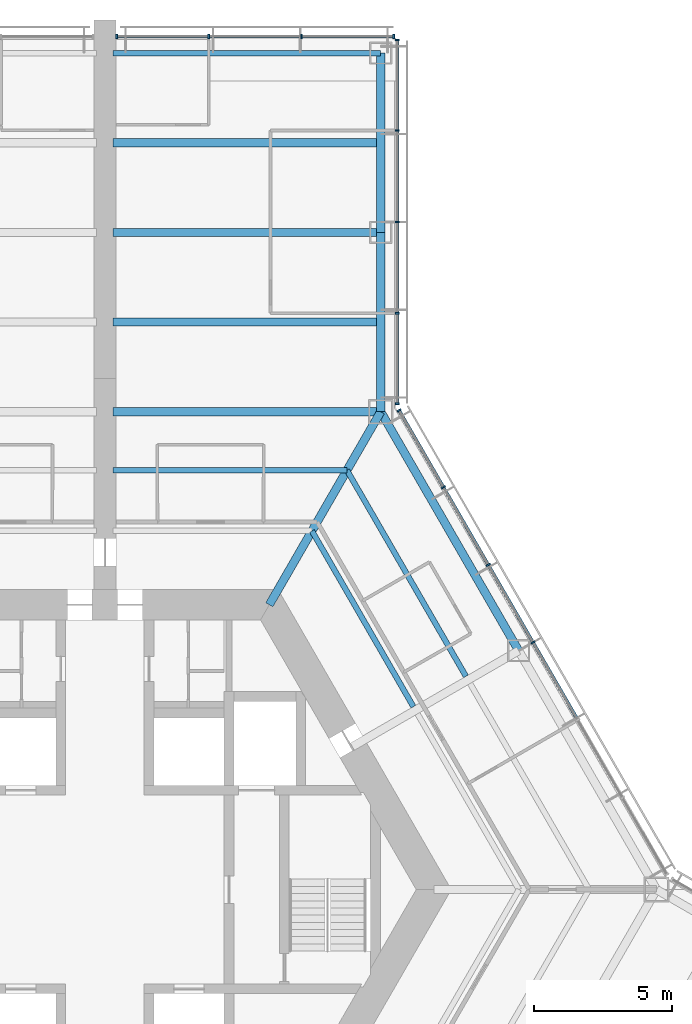
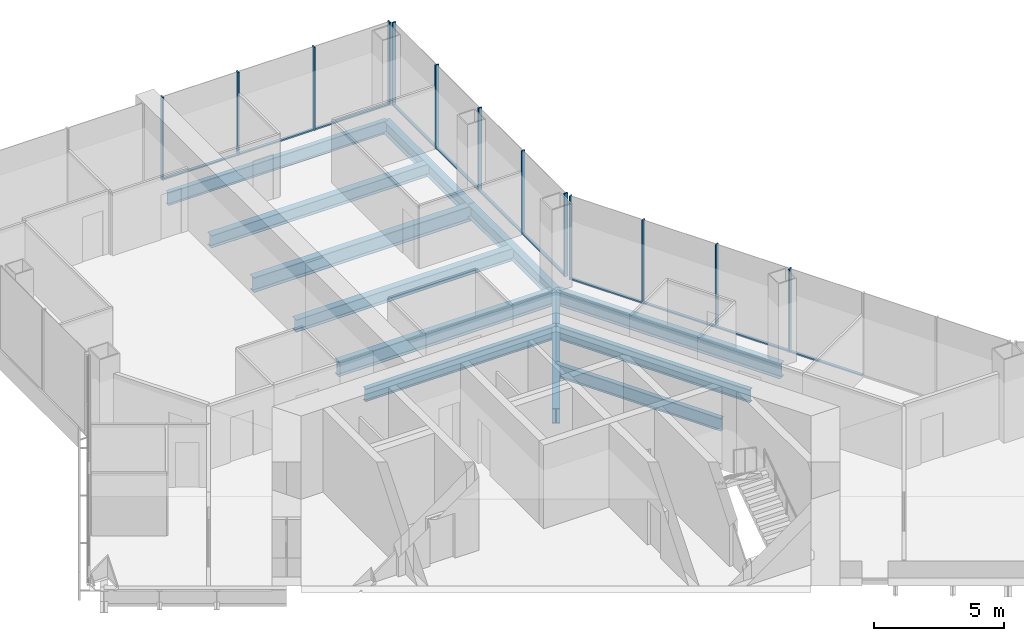
# One storey, part 8 of 19: 24 members, 12 beams, 3 elements without a shape of their own.
"""IFC4 building model written with IfcOpenShell, lengths in metres."""

from ifc_helpers import new_model, si_unit, direction, frame, origin, origin_2d, place, context, subcontext, project, spatial, rectangle, i_section, extrude, material, material_profile, profile_set, type_object, element, aggregate, save


model = new_model("IFC4")

# Units and contexts
model_context = context("Model", 3, precision=1e-05, world=origin(), true_north=direction((0.0, 1.0)))
body_context = subcontext(model_context, "Body", "Model", "MODEL_VIEW")
ifc_project = project(units=[si_unit("LENGTHUNIT", "METRE"), si_unit("AREAUNIT", "SQUARE_METRE"), si_unit("VOLUMEUNIT", "CUBIC_METRE"), si_unit("PLANEANGLEUNIT", "RADIAN"), si_unit("MASSUNIT", "GRAM", prefix="KILO")], contexts=[model_context])

# Site, building, storey
site_placement = place(None, origin())
site = spatial("IfcSite", under=ifc_project, at=site_placement, CompositionType="ELEMENT")
building_placement = place(site_placement, origin())
building = spatial("IfcBuilding", under=site, at=building_placement, Name="Kasaneha Research Tower", CompositionType="ELEMENT")
storey_placement = place(building_placement, frame((0.0, 0.0, 88.5)))
storey = spatial("IfcBuildingStorey", under=building, at=storey_placement, Name="L22", CompositionType="ELEMENT", Elevation=88.5)

# Beams
ifc_material_1 = material(Name="Steel SN490B", Category="steel")
ifc_material_profile_1 = material_profile(ifc_material_1, i_section(OverallWidth=0.199951171875, OverallDepth=0.60009765625, WebThickness=0.010986328125, FlangeThickness=0.01708984375, FilletRadius=0.012939453125, at=origin_2d()), Name="H-600x200x11x17")
ifc_profile_set_1 = profile_set([ifc_material_profile_1], Name="Steel SN490B")
beam_type_1 = type_object("IfcBeamType", Name="B1-3 secondary beam H-600x200x11x17", PredefinedType="JOIST", material=ifc_profile_set_1)
beam_1_placement = place(storey_placement, frame((7.505615234375, 13.0, -0.449951171875), z_axis=(0.499994443168, -0.866028611999, 0.0), x_axis=(0.866028611999, 0.499994443168, 0.0)))
element("IfcBeam", 1, at=beam_1_placement, inside=storey, type_object=beam_type_1, Name="Secondary beam RS030R1 L22", PredefinedType="JOIST", context=body_context, shape_type="SweptSolid", body=[
    extrude(i_section(OverallWidth=0.199951171875, OverallDepth=0.60009765625, WebThickness=0.010986328125, FlangeThickness=0.01708984375, FilletRadius=0.012939453125, at=origin_2d()), origin(), (0.0, 0.0, 1.0), 7.35546875),
])
beam_2_placement = place(storey_placement, frame((8.775634765625, 15.199951171875, -0.449951171875), z_axis=(0.500017275495, -0.866015429543, 0.0), x_axis=(0.866015429543, 0.500017275495, 0.0)))
element("IfcBeam", 2, at=beam_2_placement, inside=storey, type_object=beam_type_1, Name="Secondary beam RS030R2 L22", PredefinedType="JOIST", context=body_context, shape_type="SweptSolid", body=[
    extrude(i_section(OverallWidth=0.199951171875, OverallDepth=0.60009765625, WebThickness=0.010986328125, FlangeThickness=0.01708984375, FilletRadius=0.012939453125, at=origin_2d()), origin(), (0.0, 0.0, 1.0), 8.625732421875),
])
beam_3_placement = place(storey_placement, frame((8.775634765625, 15.199951171875, -0.449951171875), z_axis=(-1.0, 0.0, 0.0), x_axis=(0.0, -1.0, 0.0)))
element("IfcBeam", 3, at=beam_3_placement, inside=storey, type_object=beam_type_1, Name="Secondary beam RS090L2 L22", PredefinedType="JOIST", context=body_context, shape_type="SweptSolid", body=[
    extrude(i_section(OverallWidth=0.199951171875, OverallDepth=0.60009765625, WebThickness=0.010986328125, FlangeThickness=0.01708984375, FilletRadius=0.012939453125, at=origin_2d()), origin(), (0.0, 0.0, 1.0), 8.4755859375),
])
ifc_material_2 = material(Name="Steel SN490B", Category="steel")
ifc_material_profile_2 = material_profile(ifc_material_2, i_section(OverallWidth=0.300048828125, OverallDepth=0.58203125, WebThickness=0.011962890625, FlangeThickness=0.01708984375, FilletRadius=0.012939453125, at=origin_2d()), Name="H-582x300x12x17")
ifc_profile_set_2 = profile_set([ifc_material_profile_2], Name="Steel SN490B")
beam_type_2 = type_object("IfcBeamType", Name="B2-3 secondary beam H-582x300x12x17", PredefinedType="JOIST", material=ifc_profile_set_2)
for number, where, z_axis, x_axis, name in (
    (4, (10.0, 20.570556640625, -0.44091796875), (-1.0, 0.0, 0.0), (0.0, -1.0, 0.0), "Secondary beam WBAP1 L22"),
    (5, (10.0, 27.070556640625, -0.44091796875), (-1.0, 0.0, 0.0), (0.0, -1.0, 0.0), "Secondary beam WBAP2 L22"),
):
    element("IfcBeam", number, at=place(storey_placement, frame(where, z_axis=z_axis, x_axis=x_axis)), inside=storey, type_object=beam_type_2, Name=name, PredefinedType="JOIST", context=body_context, shape_type="SweptSolid", body=[
        extrude(i_section(OverallWidth=0.300048828125, OverallDepth=0.58203125, WebThickness=0.011962890625, FlangeThickness=0.01708984375, FilletRadius=0.012939453125, at=origin_2d()), origin(), (0.0, 0.0, 1.0), 9.699951171875),
    ])

# Curtain wall, members
ifc_material_3 = material(Name="Glass and aluminium", Category="aluminium")
curtain_wall_type = type_object("IfcCurtainWallType", Name="Low-rise office curtain wall", PredefinedType="USERDEFINED", material=ifc_material_3)
curtain_wall_1_placement = place(storey_placement, origin())
curtain_wall_1 = element("IfcCurtainWall", 6, at=curtain_wall_1_placement, inside=storey, type_object=curtain_wall_type, Name="CW-O1 L22 run 07a", ObjectType="UNITISED CURTAIN WALL", PredefinedType="USERDEFINED")
ifc_material_4 = material(Name="Aluminium 6063-T6", Category="aluminium")
ifc_material_profile_3 = material_profile(ifc_material_4, rectangle(XDim=0.06005859375, YDim=0.159912109375, at=origin_2d()), Name="CW-O1 mullion 60x160")
ifc_profile_set_3 = profile_set([ifc_material_profile_3], Name="Aluminium 6063-T6")
member_type_1 = type_object("IfcMemberType", Name="CW-O1 mullion", PredefinedType="MULLION", material=ifc_profile_set_3)
member_1_placement = place(storey_placement, frame((15.51953125, 8.960205078125, 0.0), z_axis=(0.0, 0.0, 1.0), x_axis=(-0.49999996188, 0.866025425793, 0.0)))
member_1 = element("IfcMember", 7, at=member_1_placement, type_object=member_type_1, Name="CW-O1 mullion 4", PredefinedType="MULLION", context=body_context, shape_type="SweptSolid", body=[
    extrude(rectangle(XDim=0.06005859375, YDim=0.159912109375, at=origin_2d()), origin(), (0.0, 0.0, 1.0), 3.89990234375),
])
member_2_placement = place(storey_placement, frame((13.896484375, 11.771728515625, 0.0), z_axis=(0.0, 0.0, 1.0), x_axis=(-0.49999996188, 0.866025425793, 0.0)))
member_2 = element("IfcMember", 8, at=member_2_placement, type_object=member_type_1, Name="CW-O1 mullion 5", PredefinedType="MULLION", context=body_context, shape_type="SweptSolid", body=[
    extrude(rectangle(XDim=0.06005859375, YDim=0.159912109375, at=origin_2d()), origin(), (0.0, 0.0, 1.0), 3.89990234375),
])
member_3_placement = place(storey_placement, frame((12.273193359375, 14.583251953125, 0.0), z_axis=(0.0, 0.0, 1.0), x_axis=(-0.49999996188, 0.866025425793, 0.0)))
member_3 = element("IfcMember", 9, at=member_3_placement, type_object=member_type_1, Name="CW-O1 mullion 6", PredefinedType="MULLION", context=body_context, shape_type="SweptSolid", body=[
    extrude(rectangle(XDim=0.06005859375, YDim=0.159912109375, at=origin_2d()), origin(), (0.0, 0.0, 1.0), 3.89990234375),
])
member_4_placement = place(storey_placement, frame((10.6650390625, 17.36865234375, 0.0), z_axis=(0.0, 0.0, 1.0), x_axis=(-0.49999996188, 0.866025425793, 0.0)))
member_4 = element("IfcMember", 10, at=member_4_placement, type_object=member_type_1, Name="CW-O1 mullion 7", PredefinedType="MULLION", context=body_context, shape_type="SweptSolid", body=[
    extrude(rectangle(XDim=0.06005859375, YDim=0.159912109375, at=origin_2d()), origin(), (0.0, 0.0, 1.0), 3.89990234375),
])

curtain_wall_2_placement = place(storey_placement, origin())
curtain_wall_2 = element("IfcCurtainWall", 11, at=curtain_wall_2_placement, inside=storey, type_object=curtain_wall_type, Name="CW-O1 L22 run 08a", ObjectType="UNITISED CURTAIN WALL", PredefinedType="USERDEFINED")
member_5_placement = place(storey_placement, frame((10.60009765625, 17.611328125, 0.0), z_axis=(0.0, 0.0, 1.0), x_axis=(0.0, 1.0, 0.0)))
member_5 = element("IfcMember", 12, at=member_5_placement, type_object=member_type_1, Name="CW-O1 mullion 1", PredefinedType="MULLION", context=body_context, shape_type="SweptSolid", body=[
    extrude(rectangle(XDim=0.06005859375, YDim=0.159912109375, at=origin_2d()), origin(), (0.0, 0.0, 1.0), 3.89990234375),
])
member_6_placement = place(storey_placement, frame((10.60009765625, 20.89111328125, 0.0), z_axis=(0.0, 0.0, 1.0), x_axis=(0.0, 1.0, 0.0)))
member_6 = element("IfcMember", 13, at=member_6_placement, type_object=member_type_1, Name="CW-O1 mullion 2", PredefinedType="MULLION", context=body_context, shape_type="SweptSolid", body=[
    extrude(rectangle(XDim=0.06005859375, YDim=0.159912109375, at=origin_2d()), origin(), (0.0, 0.0, 1.0), 3.89990234375),
])
member_7_placement = place(storey_placement, frame((10.60009765625, 24.200927734375, 0.0), z_axis=(0.0, 0.0, 1.0), x_axis=(0.0, 1.0, 0.0)))
member_7 = element("IfcMember", 14, at=member_7_placement, type_object=member_type_1, Name="CW-O1 mullion 3", PredefinedType="MULLION", context=body_context, shape_type="SweptSolid", body=[
    extrude(rectangle(XDim=0.06005859375, YDim=0.159912109375, at=origin_2d()), origin(), (0.0, 0.0, 1.0), 3.89990234375),
])
member_8_placement = place(storey_placement, frame((10.60009765625, 27.5107421875, 0.0), z_axis=(0.0, 0.0, 1.0), x_axis=(0.0, 1.0, 0.0)))
member_8 = element("IfcMember", 15, at=member_8_placement, type_object=member_type_1, Name="CW-O1 mullion 4", PredefinedType="MULLION", context=body_context, shape_type="SweptSolid", body=[
    extrude(rectangle(XDim=0.06005859375, YDim=0.159912109375, at=origin_2d()), origin(), (0.0, 0.0, 1.0), 3.89990234375),
])
member_9_placement = place(storey_placement, frame((10.60009765625, 30.79052734375, 0.0), z_axis=(0.0, 0.0, 1.0), x_axis=(0.0, 1.0, 0.0)))
member_9 = element("IfcMember", 16, at=member_9_placement, type_object=member_type_1, Name="CW-O1 mullion 5", PredefinedType="MULLION", context=body_context, shape_type="SweptSolid", body=[
    extrude(rectangle(XDim=0.06005859375, YDim=0.159912109375, at=origin_2d()), origin(), (0.0, 0.0, 1.0), 3.89990234375),
])

curtain_wall_3_placement = place(storey_placement, origin())
curtain_wall_3 = element("IfcCurtainWall", 17, at=curtain_wall_3_placement, inside=storey, type_object=curtain_wall_type, Name="CW-O1 L22 run 09a", ObjectType="UNITISED CURTAIN WALL", PredefinedType="USERDEFINED")
member_10_placement = place(storey_placement, frame((10.469970703125, 30.92041015625, 0.0), z_axis=(0.0, 0.0, 1.0), x_axis=(-1.0, 0.0, 0.0)))
member_10 = element("IfcMember", 18, at=member_10_placement, type_object=member_type_1, Name="CW-O1 mullion 1", PredefinedType="MULLION", context=body_context, shape_type="SweptSolid", body=[
    extrude(rectangle(XDim=0.06005859375, YDim=0.159912109375, at=origin_2d()), origin(), (0.0, 0.0, 1.0), 3.89990234375),
])
member_11_placement = place(storey_placement, frame((7.13330078125, 30.92041015625, 0.0), z_axis=(0.0, 0.0, 1.0), x_axis=(-1.0, 0.0, 0.0)))
member_11 = element("IfcMember", 19, at=member_11_placement, type_object=member_type_1, Name="CW-O1 mullion 2", PredefinedType="MULLION", context=body_context, shape_type="SweptSolid", body=[
    extrude(rectangle(XDim=0.06005859375, YDim=0.159912109375, at=origin_2d()), origin(), (0.0, 0.0, 1.0), 3.89990234375),
])
member_12_placement = place(storey_placement, frame((3.7666015625, 30.92041015625, 0.0), z_axis=(0.0, 0.0, 1.0), x_axis=(-1.0, 0.0, 0.0)))
member_12 = element("IfcMember", 20, at=member_12_placement, type_object=member_type_1, Name="CW-O1 mullion 3", PredefinedType="MULLION", context=body_context, shape_type="SweptSolid", body=[
    extrude(rectangle(XDim=0.06005859375, YDim=0.159912109375, at=origin_2d()), origin(), (0.0, 0.0, 1.0), 3.89990234375),
])
member_13_placement = place(storey_placement, frame((0.429931640625, 30.92041015625, 0.0), z_axis=(0.0, 0.0, 1.0), x_axis=(-1.0, 0.0, 0.0)))
member_13 = element("IfcMember", 21, at=member_13_placement, type_object=member_type_1, Name="CW-O1 mullion 4", PredefinedType="MULLION", context=body_context, shape_type="SweptSolid", body=[
    extrude(rectangle(XDim=0.06005859375, YDim=0.159912109375, at=origin_2d()), origin(), (0.0, 0.0, 1.0), 3.89990234375),
])

# Member
ifc_material_5 = material(Name="Aluminium 6063-T6", Category="aluminium")
ifc_material_profile_4 = material_profile(ifc_material_5, rectangle(XDim=0.1201171875, YDim=0.06005859375, at=origin_2d()), Name="CW-O1 transom 120x60")
ifc_profile_set_4 = profile_set([ifc_material_profile_4], Name="Aluminium 6063-T6")
member_type_2 = type_object("IfcMemberType", Name="CW-O1 transom", PredefinedType="USERDEFINED", material=ifc_profile_set_4)
member_14_placement = place(storey_placement, frame((17.1279296875, 6.1748046875, 0.030029296875), z_axis=(-0.500012062035, 0.866018439653, 0.0), x_axis=(-0.866018439653, -0.500012062035, 0.0)))
member_14 = element("IfcMember", 22, at=member_14_placement, type_object=member_type_2, Name="CW-O1 transom 3", ObjectType="TRANSOM", PredefinedType="USERDEFINED", context=body_context, shape_type="SweptSolid", body=[
    extrude(rectangle(XDim=0.1201171875, YDim=0.06005859375, at=origin_2d()), origin(), (0.0, 0.0, 1.0), 3.1865234375),
])

member_15_placement = place(storey_placement, frame((15.504638671875, 8.986328125, 0.030029296875), z_axis=(-0.500012062035, 0.866018439653, 0.0), x_axis=(-0.866018439653, -0.500012062035, 0.0)))
member_15 = element("IfcMember", 23, at=member_15_placement, type_object=member_type_2, Name="CW-O1 transom 4", ObjectType="TRANSOM", PredefinedType="USERDEFINED", context=body_context, shape_type="SweptSolid", body=[
    extrude(rectangle(XDim=0.1201171875, YDim=0.06005859375, at=origin_2d()), origin(), (0.0, 0.0, 1.0), 3.1865234375),
])

member_16_placement = place(storey_placement, frame((13.88134765625, 11.797607421875, 0.030029296875), z_axis=(-0.500012062035, 0.866018439653, 0.0), x_axis=(-0.866018439653, -0.500012062035, 0.0)))
member_16 = element("IfcMember", 24, at=member_16_placement, type_object=member_type_2, Name="CW-O1 transom 5", ObjectType="TRANSOM", PredefinedType="USERDEFINED", context=body_context, shape_type="SweptSolid", body=[
    extrude(rectangle(XDim=0.1201171875, YDim=0.06005859375, at=origin_2d()), origin(), (0.0, 0.0, 1.0), 3.1865234375),
])

member_17_placement = place(storey_placement, frame((12.25830078125, 14.609130859375, 0.030029296875), z_axis=(-0.500023726918, 0.866011704609, 0.0), x_axis=(-0.866011704609, -0.500023726918, 0.0)))
member_17 = element("IfcMember", 25, at=member_17_placement, type_object=member_type_2, Name="CW-O1 transom 6", ObjectType="TRANSOM", PredefinedType="USERDEFINED", context=body_context, shape_type="SweptSolid", body=[
    extrude(rectangle(XDim=0.1201171875, YDim=0.06005859375, at=origin_2d()), origin(), (0.0, 0.0, 1.0), 3.156494140625),
])

aggregate(curtain_wall_1, [member_1, member_2, member_3, member_4, member_14, member_15, member_16, member_17])

member_18_placement = place(storey_placement, frame((10.60009765625, 17.641357421875, 0.030029296875), z_axis=(0.0, 1.0, 0.0), x_axis=(-1.0, 0.0, 0.0)))
member_18 = element("IfcMember", 26, at=member_18_placement, type_object=member_type_2, Name="CW-O1 transom 1", ObjectType="TRANSOM", PredefinedType="USERDEFINED", context=body_context, shape_type="SweptSolid", body=[
    extrude(rectangle(XDim=0.1201171875, YDim=0.06005859375, at=origin_2d()), origin(), (0.0, 0.0, 1.0), 3.2197265625),
])

member_19_placement = place(storey_placement, frame((10.60009765625, 20.921142578125, 0.030029296875), z_axis=(0.0, 1.0, 0.0), x_axis=(-1.0, 0.0, 0.0)))
member_19 = element("IfcMember", 27, at=member_19_placement, type_object=member_type_2, Name="CW-O1 transom 2", ObjectType="TRANSOM", PredefinedType="USERDEFINED", context=body_context, shape_type="SweptSolid", body=[
    extrude(rectangle(XDim=0.1201171875, YDim=0.06005859375, at=origin_2d()), origin(), (0.0, 0.0, 1.0), 3.249755859375),
])

member_20_placement = place(storey_placement, frame((10.60009765625, 24.23095703125, 0.030029296875), z_axis=(0.0, 1.0, 0.0), x_axis=(-1.0, 0.0, 0.0)))
member_20 = element("IfcMember", 28, at=member_20_placement, type_object=member_type_2, Name="CW-O1 transom 3", ObjectType="TRANSOM", PredefinedType="USERDEFINED", context=body_context, shape_type="SweptSolid", body=[
    extrude(rectangle(XDim=0.1201171875, YDim=0.06005859375, at=origin_2d()), origin(), (0.0, 0.0, 1.0), 3.249755859375),
])

member_21_placement = place(storey_placement, frame((10.60009765625, 27.540771484375, 0.030029296875), z_axis=(0.0, 1.0, 0.0), x_axis=(-1.0, 0.0, 0.0)))
member_21 = element("IfcMember", 29, at=member_21_placement, type_object=member_type_2, Name="CW-O1 transom 4", ObjectType="TRANSOM", PredefinedType="USERDEFINED", context=body_context, shape_type="SweptSolid", body=[
    extrude(rectangle(XDim=0.1201171875, YDim=0.06005859375, at=origin_2d()), origin(), (0.0, 0.0, 1.0), 3.2197265625),
])

aggregate(curtain_wall_2, [member_5, member_6, member_7, member_8, member_9, member_18, member_19, member_20, member_21])

member_22_placement = place(storey_placement, frame((10.43994140625, 30.92041015625, 0.030029296875), z_axis=(-1.0, 0.0, 0.0), x_axis=(0.0, -1.0, 0.0)))
member_22 = element("IfcMember", 30, at=member_22_placement, type_object=member_type_2, Name="CW-O1 transom 1", ObjectType="TRANSOM", PredefinedType="USERDEFINED", context=body_context, shape_type="SweptSolid", body=[
    extrude(rectangle(XDim=0.1201171875, YDim=0.06005859375, at=origin_2d()), origin(), (0.0, 0.0, 1.0), 3.276611328125),
])

member_23_placement = place(storey_placement, frame((7.103271484375, 30.92041015625, 0.030029296875), z_axis=(-1.0, 0.0, 0.0), x_axis=(0.0, -1.0, 0.0)))
member_23 = element("IfcMember", 31, at=member_23_placement, type_object=member_type_2, Name="CW-O1 transom 2", ObjectType="TRANSOM", PredefinedType="USERDEFINED", context=body_context, shape_type="SweptSolid", body=[
    extrude(rectangle(XDim=0.1201171875, YDim=0.06005859375, at=origin_2d()), origin(), (0.0, 0.0, 1.0), 3.306640625),
])

member_24_placement = place(storey_placement, frame((3.736572265625, 30.92041015625, 0.030029296875), z_axis=(-1.0, 0.0, 0.0), x_axis=(0.0, -1.0, 0.0)))
member_24 = element("IfcMember", 32, at=member_24_placement, type_object=member_type_2, Name="CW-O1 transom 3", ObjectType="TRANSOM", PredefinedType="USERDEFINED", context=body_context, shape_type="SweptSolid", body=[
    extrude(rectangle(XDim=0.1201171875, YDim=0.06005859375, at=origin_2d()), origin(), (0.0, 0.0, 1.0), 3.276611328125),
])

aggregate(curtain_wall_3, [member_10, member_11, member_12, member_13, member_22, member_23, member_24])

# Beams
ifc_material_6 = material(Name="Steel SN490B", Category="steel")
ifc_material_profile_5 = material_profile(ifc_material_6, i_section(OverallWidth=0.300048828125, OverallDepth=0.699951171875, WebThickness=0.012939453125, FlangeThickness=0.02392578125, FilletRadius=0.01806640625, at=origin_2d()), Name="H-700x300x13x24")
ifc_profile_set_5 = profile_set([ifc_material_profile_5], Name="Steel SN490B")
beam_type_3 = type_object("IfcBeamType", Name="G1-3 radial girder H-700x300x13x24", PredefinedType="BEAM", material=ifc_profile_set_5)
beam_4_placement = place(storey_placement, frame((5.961181640625, 10.324951171875, -0.5), z_axis=(0.49999105496, 0.866030568144, 0.0), x_axis=(-0.866030568144, 0.49999105496, 0.0)))
element("IfcBeam", 33, at=beam_4_placement, inside=storey, type_object=beam_type_3, Name="Radial girder RV060 L22", PredefinedType="BEAM", context=body_context, shape_type="SweptSolid", body=[
    extrude(i_section(OverallWidth=0.300048828125, OverallDepth=0.699951171875, WebThickness=0.012939453125, FlangeThickness=0.02392578125, FilletRadius=0.01806640625, at=origin_2d()), origin(), (0.0, 0.0, 1.0), 8.077880859375),
])
ifc_material_7 = material(Name="Steel SN490B", Category="steel")
ifc_material_profile_6 = material_profile(ifc_material_7, i_section(OverallWidth=0.300048828125, OverallDepth=0.69189453125, WebThickness=0.012939453125, FlangeThickness=0.02001953125, FilletRadius=0.01806640625, at=origin_2d()), Name="H-692x300x13x20")
ifc_profile_set_6 = profile_set([ifc_material_profile_6], Name="Steel SN490B")
beam_type_4 = type_object("IfcBeamType", Name="G3-3 plate edge girder H-692x300x13x20", PredefinedType="BEAM", material=ifc_profile_set_6)
beam_5_placement = place(storey_placement, frame((10.0, 17.320556640625, -0.49609375), z_axis=(-1.0, 0.0, 0.0), x_axis=(0.0, -1.0, 0.0)))
element("IfcBeam", 34, at=beam_5_placement, inside=storey, type_object=beam_type_4, Name="Plate edge girder PEAP L22", PredefinedType="BEAM", context=body_context, shape_type="SweptSolid", body=[
    extrude(i_section(OverallWidth=0.300048828125, OverallDepth=0.69189453125, WebThickness=0.012939453125, FlangeThickness=0.02001953125, FilletRadius=0.01806640625, at=origin_2d()), origin(), (0.0, 0.0, 1.0), 9.699951171875),
])
ifc_material_8 = material(Name="Steel SN490B", Category="steel")
ifc_material_profile_7 = material_profile(ifc_material_8, i_section(OverallWidth=0.300048828125, OverallDepth=0.699951171875, WebThickness=0.012939453125, FlangeThickness=0.02392578125, FilletRadius=0.01806640625, at=origin_2d()), Name="H-700x300x13x24")
ifc_profile_set_7 = profile_set([ifc_material_profile_7], Name="Steel SN490B")
beam_type_5 = type_object("IfcBeamType", Name="G4-3 wing girder H-700x300x13x24", PredefinedType="BEAM", material=ifc_profile_set_7)
beam_6_placement = place(storey_placement, frame((10.0, 23.820556640625, -0.5), z_axis=(-1.0, 0.0, 0.0), x_axis=(0.0, -1.0, 0.0)))
element("IfcBeam", 35, at=beam_6_placement, inside=storey, type_object=beam_type_5, Name="Wing girder WGAP L22", PredefinedType="BEAM", context=body_context, shape_type="SweptSolid", body=[
    extrude(i_section(OverallWidth=0.300048828125, OverallDepth=0.699951171875, WebThickness=0.012939453125, FlangeThickness=0.02392578125, FilletRadius=0.01806640625, at=origin_2d()), origin(), (0.0, 0.0, 1.0), 9.699951171875),
])
ifc_material_9 = material(Name="Steel SN490B", Category="steel")
ifc_material_profile_8 = material_profile(ifc_material_9, i_section(OverallWidth=0.300048828125, OverallDepth=0.69189453125, WebThickness=0.012939453125, FlangeThickness=0.02001953125, FilletRadius=0.01806640625, at=origin_2d()), Name="H-692x300x13x20")
ifc_profile_set_8 = profile_set([ifc_material_profile_8], Name="Steel SN490B")
beam_type_6 = type_object("IfcBeamType", Name="SB1-3 spandrel beam H-692x300x13x20", PredefinedType="SPANDREL", material=ifc_profile_set_8)
beam_7_placement = place(storey_placement, frame((10.0, 17.320556640625, -0.49609375), z_axis=(0.499993662806, -0.866029062534, 0.0), x_axis=(0.866029062534, 0.499993662806, 0.0)))
element("IfcBeam", 36, at=beam_7_placement, inside=storey, type_object=beam_type_6, Name="Spandrel beam SR030R L22", PredefinedType="SPANDREL", context=body_context, shape_type="SweptSolid", body=[
    extrude(i_section(OverallWidth=0.300048828125, OverallDepth=0.69189453125, WebThickness=0.012939453125, FlangeThickness=0.02001953125, FilletRadius=0.01806640625, at=origin_2d()), origin(), (0.0, 0.0, 1.0), 10.000244140625),
])
ifc_material_10 = material(Name="Steel SN490B", Category="steel")
ifc_material_profile_9 = material_profile(ifc_material_10, i_section(OverallWidth=0.300048828125, OverallDepth=0.58203125, WebThickness=0.011962890625, FlangeThickness=0.01708984375, FilletRadius=0.012939453125, at=origin_2d()), Name="H-582x300x12x17")
ifc_profile_set_9 = profile_set([ifc_material_profile_9], Name="Steel SN490B")
beam_type_7 = type_object("IfcBeamType", Name="SB2-3 spandrel beam H-582x300x12x17", PredefinedType="SPANDREL", material=ifc_profile_set_9)
for number, where, z_axis, x_axis, name in (
    (37, (10.0, 17.320556640625, -0.44091796875), (0.0, 1.0, 0.0), (-1.0, 0.0, 0.0), "Spandrel beam WSAP1 L22"),
    (38, (10.0, 23.820556640625, -0.44091796875), (0.0, 1.0, 0.0), (-1.0, 0.0, 0.0), "Spandrel beam WSAP2 L22"),
):
    element("IfcBeam", number, at=place(storey_placement, frame(where, z_axis=z_axis, x_axis=x_axis)), inside=storey, type_object=beam_type_7, Name=name, PredefinedType="SPANDREL", context=body_context, shape_type="SweptSolid", body=[
        extrude(i_section(OverallWidth=0.300048828125, OverallDepth=0.58203125, WebThickness=0.011962890625, FlangeThickness=0.01708984375, FilletRadius=0.012939453125, at=origin_2d()), origin(), (0.0, 0.0, 1.0), 6.5),
    ])
ifc_material_11 = material(Name="Steel SN490B", Category="steel")
ifc_material_profile_10 = material_profile(ifc_material_11, i_section(OverallWidth=0.199951171875, OverallDepth=0.60009765625, WebThickness=0.010986328125, FlangeThickness=0.01708984375, FilletRadius=0.012939453125, at=origin_2d()), Name="H-600x200x11x17")
ifc_profile_set_10 = profile_set([ifc_material_profile_10], Name="Steel SN490B")
beam_type_8 = type_object("IfcBeamType", Name="SB3-3 spandrel beam H-600x200x11x17", PredefinedType="SPANDREL", material=ifc_profile_set_10)
beam_8_placement = place(storey_placement, frame((10.0, 30.320556640625, -0.449951171875), z_axis=(-1.0, 0.0, 0.0), x_axis=(0.0, -1.0, 0.0)))
element("IfcBeam", 39, at=beam_8_placement, inside=storey, type_object=beam_type_8, Name="Spandrel beam WTAP L22", PredefinedType="SPANDREL", context=body_context, shape_type="SweptSolid", body=[
    extrude(i_section(OverallWidth=0.199951171875, OverallDepth=0.60009765625, WebThickness=0.010986328125, FlangeThickness=0.01708984375, FilletRadius=0.012939453125, at=origin_2d()), origin(), (0.0, 0.0, 1.0), 9.699951171875),
])

save(model, "model.ifc")
